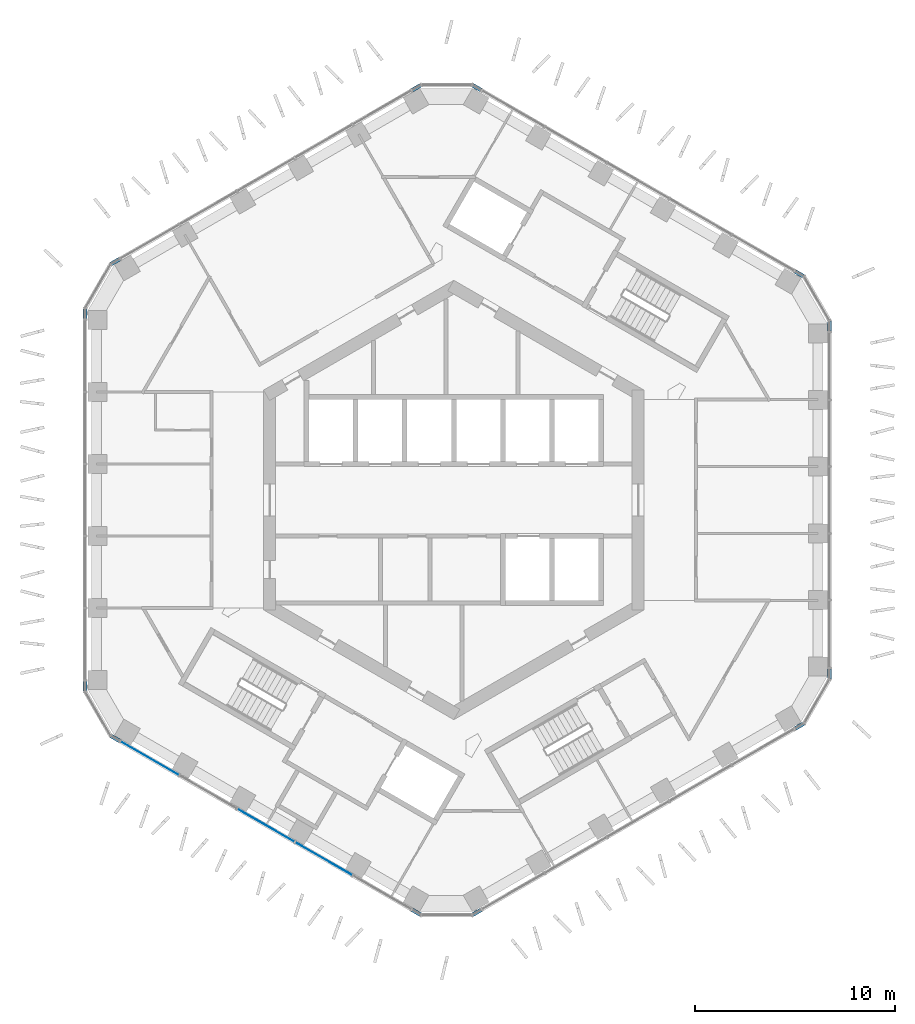
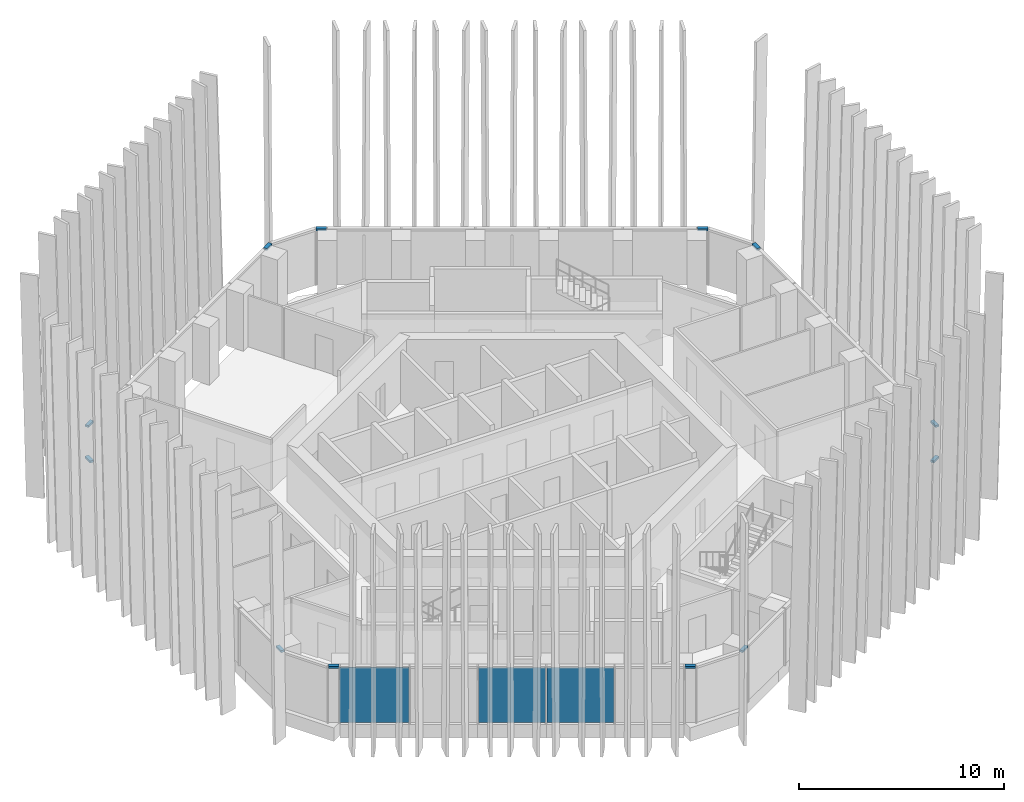
# One storey, part 8 of 21: 12 members, 3 plates, 7 elements without a shape of their own.
"""IFC4 building model written with IfcOpenShell, lengths in metres."""

from ifc_helpers import new_model, si_unit, direction, frame, origin, origin_2d, place, context, subcontext, project, spatial, rectangle, extrude, material, layer, layer_set, material_profile, profile_set, type_object, element, aggregate, save


model = new_model("IFC4")

# Units and contexts
model_context = context("Model", 3, precision=1e-05, world=origin(), true_north=direction((0.0, 1.0)))
body_context = subcontext(model_context, "Body", "Model", "MODEL_VIEW")
ifc_project = project(units=[si_unit("LENGTHUNIT", "METRE"), si_unit("AREAUNIT", "SQUARE_METRE"), si_unit("VOLUMEUNIT", "CUBIC_METRE"), si_unit("PLANEANGLEUNIT", "RADIAN"), si_unit("MASSUNIT", "GRAM", prefix="KILO")], contexts=[model_context])

# Site, building, storey
site_placement = place(None, origin())
site = spatial("IfcSite", under=ifc_project, at=site_placement, CompositionType="ELEMENT")
building_placement = place(site_placement, origin())
building = spatial("IfcBuilding", under=site, at=building_placement, Name="Ayvan Gate Tower", CompositionType="ELEMENT")
storey_placement = place(building_placement, frame((0.0, 0.0, 173.10009765625)))
storey = spatial("IfcBuildingStorey", under=building, at=storey_placement, Name="L46", CompositionType="ELEMENT", Elevation=173.10009765625)

# Curtain wall, members
ifc_material_1 = material(Name="Bronze anodised aluminium", Category="aluminium")
ifc_layer_1 = layer(ifc_material_1, 0.199951171875)
ifc_layer_set_1 = layer_set([ifc_layer_1], Name="Bronze anodised aluminium")
curtain_wall_type_1 = type_object("IfcCurtainWallType", Name="Stick curtain wall CW-6", PredefinedType="NOTDEFINED", material=ifc_layer_set_1)
curtain_wall_1_placement = place(storey_placement, origin())
curtain_wall_1 = element("IfcCurtainWall", 1, at=curtain_wall_1_placement, inside=storey, type_object=curtain_wall_type_1, Name="Stick curtain wall CW-6 L46", PredefinedType="NOTDEFINED")
ifc_material_profile = material_profile(ifc_material_1, rectangle(XDim=0.199951171875, YDim=0.1201171875, at=origin_2d()), Name="Stick curtain wall CW-6 transom 200 x 120")
ifc_profile_set = profile_set([ifc_material_profile], Name="Bronze anodised aluminium")
member_type = type_object("IfcMemberType", Name="Stick curtain wall CW-6 transom 200 x 120", PredefinedType="USERDEFINED", material=ifc_profile_set)
member_1_placement = place(storey_placement, frame((-16.68359375, 12.03173828125, 3.33984375), z_axis=(-0.865949687125, -0.500131122175, 0.0), x_axis=(0.500131122175, -0.865949687125, 0.0)))
member_1 = element("IfcMember", 2, at=member_1_placement, type_object=member_type, Name="CW-6 transom 1", ObjectType="TRANSOM", PredefinedType="USERDEFINED", context=body_context, shape_type="SweptSolid", body=[
    extrude(rectangle(XDim=0.199951171875, YDim=0.1201171875, at=origin_2d()), origin(), (0.0, 0.0, 1.0), 0.499755859375),
])
member_2_placement = place(storey_placement, frame((-18.405517578125, 9.54931640625, 3.33984375), z_axis=(0.0, -1.0, 0.0), x_axis=(1.0, 0.0, 0.0)))
member_2 = element("IfcMember", 3, at=member_2_placement, type_object=member_type, Name="CW-6 transom 3", ObjectType="TRANSOM", PredefinedType="USERDEFINED", context=body_context, shape_type="SweptSolid", body=[
    extrude(rectangle(XDim=0.199951171875, YDim=0.1201171875, at=origin_2d()), origin(), (0.0, 0.0, 1.0), 0.5),
])
aggregate(curtain_wall_1, [member_1, member_2])

curtain_wall_2_placement = place(storey_placement, origin())
curtain_wall_2 = element("IfcCurtainWall", 4, at=curtain_wall_2_placement, inside=storey, type_object=curtain_wall_type_1, Name="Stick curtain wall CW-6 L46", PredefinedType="NOTDEFINED")
member_3_placement = place(storey_placement, frame((-18.405517578125, -9.04931640625, 3.33984375), z_axis=(0.0, -1.0, 0.0), x_axis=(1.0, 0.0, 0.0)))
member_3 = element("IfcMember", 5, at=member_3_placement, type_object=member_type, Name="CW-6 transom 1", ObjectType="TRANSOM", PredefinedType="USERDEFINED", context=body_context, shape_type="SweptSolid", body=[
    extrude(rectangle(XDim=0.199951171875, YDim=0.1201171875, at=origin_2d()), origin(), (0.0, 0.0, 1.0), 0.5),
])
member_4_placement = place(storey_placement, frame((-17.116455078125, -11.78173828125, 3.33984375), z_axis=(0.865949687125, -0.500131122175, 0.0), x_axis=(0.500131122175, 0.865949687125, 0.0)))
member_4 = element("IfcMember", 6, at=member_4_placement, type_object=member_type, Name="CW-6 transom 3", ObjectType="TRANSOM", PredefinedType="USERDEFINED", context=body_context, shape_type="SweptSolid", body=[
    extrude(rectangle(XDim=0.199951171875, YDim=0.1201171875, at=origin_2d()), origin(), (0.0, 0.0, 1.0), 0.499755859375),
])
aggregate(curtain_wall_2, [member_3, member_4])

curtain_wall_3_placement = place(storey_placement, origin())
curtain_wall_3 = element("IfcCurtainWall", 7, at=curtain_wall_3_placement, inside=storey, type_object=curtain_wall_type_1, Name="Stick curtain wall CW-6 L46", PredefinedType="NOTDEFINED")
member_5_placement = place(storey_placement, frame((-2.078125, -20.464111328125, 3.33984375), z_axis=(0.866071776036, -0.499919672301, 0.0), x_axis=(0.499919672301, 0.866071776036, 0.0)))
member_5 = element("IfcMember", 8, at=member_5_placement, type_object=member_type, Name="CW-6 transom 1", ObjectType="TRANSOM", PredefinedType="USERDEFINED", context=body_context, shape_type="SweptSolid", body=[
    extrude(rectangle(XDim=0.199951171875, YDim=0.1201171875, at=origin_2d()), origin(), (0.0, 0.0, 1.0), 0.5),
])
member_6_placement = place(storey_placement, frame((0.932861328125, -20.714111328125, 3.33984375), z_axis=(0.866071776036, 0.499919672301, 0.0), x_axis=(-0.499919672301, 0.866071776036, 0.0)))
member_6 = element("IfcMember", 9, at=member_6_placement, type_object=member_type, Name="CW-6 transom 3", ObjectType="TRANSOM", PredefinedType="USERDEFINED", context=body_context, shape_type="SweptSolid", body=[
    extrude(rectangle(XDim=0.199951171875, YDim=0.1201171875, at=origin_2d()), origin(), (0.0, 0.0, 1.0), 0.5),
])
aggregate(curtain_wall_3, [member_5, member_6])

curtain_wall_4_placement = place(storey_placement, origin())
curtain_wall_4 = element("IfcCurtainWall", 10, at=curtain_wall_4_placement, inside=storey, type_object=curtain_wall_type_1, Name="Stick curtain wall CW-6 L46", PredefinedType="NOTDEFINED")
member_7_placement = place(storey_placement, frame((17.03955078125, -11.4150390625, 3.33984375), z_axis=(0.866071776036, 0.499919672301, 0.0), x_axis=(-0.499919672301, 0.866071776036, 0.0)))
member_7 = element("IfcMember", 11, at=member_7_placement, type_object=member_type, Name="CW-6 transom 1", ObjectType="TRANSOM", PredefinedType="USERDEFINED", context=body_context, shape_type="SweptSolid", body=[
    extrude(rectangle(XDim=0.199951171875, YDim=0.1201171875, at=origin_2d()), origin(), (0.0, 0.0, 1.0), 0.5),
])
member_8_placement = place(storey_placement, frame((18.761474609375, -8.932373046875, 3.33984375), z_axis=(0.0, 1.0, 0.0), x_axis=(-1.0, 0.0, 0.0)))
member_8 = element("IfcMember", 12, at=member_8_placement, type_object=member_type, Name="CW-6 transom 3", ObjectType="TRANSOM", PredefinedType="USERDEFINED", context=body_context, shape_type="SweptSolid", body=[
    extrude(rectangle(XDim=0.199951171875, YDim=0.1201171875, at=origin_2d()), origin(), (0.0, 0.0, 1.0), 0.5),
])
aggregate(curtain_wall_4, [member_7, member_8])

curtain_wall_5_placement = place(storey_placement, origin())
curtain_wall_5 = element("IfcCurtainWall", 13, at=curtain_wall_5_placement, inside=storey, type_object=curtain_wall_type_1, Name="Stick curtain wall CW-6 L46", PredefinedType="NOTDEFINED")
member_9_placement = place(storey_placement, frame((18.761474609375, 8.432373046875, 3.33984375), z_axis=(0.0, 1.0, 0.0), x_axis=(-1.0, 0.0, 0.0)))
member_9 = element("IfcMember", 14, at=member_9_placement, type_object=member_type, Name="CW-6 transom 1", ObjectType="TRANSOM", PredefinedType="USERDEFINED", context=body_context, shape_type="SweptSolid", body=[
    extrude(rectangle(XDim=0.199951171875, YDim=0.1201171875, at=origin_2d()), origin(), (0.0, 0.0, 1.0), 0.5),
])
member_10_placement = place(storey_placement, frame((17.47265625, 11.1650390625, 3.33984375), z_axis=(-0.866071776036, 0.499919672301, 0.0), x_axis=(-0.499919672301, -0.866071776036, 0.0)))
member_10 = element("IfcMember", 15, at=member_10_placement, type_object=member_type, Name="CW-6 transom 3", ObjectType="TRANSOM", PredefinedType="USERDEFINED", context=body_context, shape_type="SweptSolid", body=[
    extrude(rectangle(XDim=0.199951171875, YDim=0.1201171875, at=origin_2d()), origin(), (0.0, 0.0, 1.0), 0.5),
])
aggregate(curtain_wall_5, [member_9, member_10])

curtain_wall_6_placement = place(storey_placement, origin())
curtain_wall_6 = element("IfcCurtainWall", 16, at=curtain_wall_6_placement, inside=storey, type_object=curtain_wall_type_1, Name="Stick curtain wall CW-6 L46", PredefinedType="NOTDEFINED")
member_11_placement = place(storey_placement, frame((1.365966796875, 20.464111328125, 3.33984375), z_axis=(-0.866071776036, 0.499919672301, 0.0), x_axis=(-0.499919672301, -0.866071776036, 0.0)))
member_11 = element("IfcMember", 17, at=member_11_placement, type_object=member_type, Name="CW-6 transom 1", ObjectType="TRANSOM", PredefinedType="USERDEFINED", context=body_context, shape_type="SweptSolid", body=[
    extrude(rectangle(XDim=0.199951171875, YDim=0.1201171875, at=origin_2d()), origin(), (0.0, 0.0, 1.0), 0.5),
])
member_12_placement = place(storey_placement, frame((-1.64501953125, 20.714111328125, 3.33984375), z_axis=(-0.866071776036, -0.499919672301, 0.0), x_axis=(0.499919672301, -0.866071776036, 0.0)))
member_12 = element("IfcMember", 18, at=member_12_placement, type_object=member_type, Name="CW-6 transom 3", ObjectType="TRANSOM", PredefinedType="USERDEFINED", context=body_context, shape_type="SweptSolid", body=[
    extrude(rectangle(XDim=0.199951171875, YDim=0.1201171875, at=origin_2d()), origin(), (0.0, 0.0, 1.0), 0.5),
])
aggregate(curtain_wall_6, [member_11, member_12])

# Curtain wall, plates
ifc_layer_2 = layer(ifc_material_1, 0.199951171875)
ifc_layer_set_2 = layer_set([ifc_layer_2], Name="Bronze anodised aluminium")
curtain_wall_type_2 = type_object("IfcCurtainWallType", Name="Stick curtain wall CW-2", PredefinedType="NOTDEFINED", material=ifc_layer_set_2)
curtain_wall_7_placement = place(storey_placement, origin())
curtain_wall_7 = element("IfcCurtainWall", 19, at=curtain_wall_7_placement, inside=storey, type_object=curtain_wall_type_2, Name="Stick curtain wall CW-2 L46", PredefinedType="NOTDEFINED")
ifc_material_2 = material(Name="Clear low-iron laminated glass", Category="glass")
ifc_layer_3 = layer(ifc_material_2, 0.028076171875)
ifc_layer_set_3 = layer_set([ifc_layer_3], Name="Clear low-iron laminated glass")
plate_type = type_object("IfcPlateType", Name="Stick curtain wall CW-2 glass panel", PredefinedType="CURTAIN_PANEL", material=ifc_layer_set_3)
plate_1_placement = place(storey_placement, frame((-15.1943359375, -12.891357421875, 0.0), z_axis=(0.0, 0.0, 1.0), x_axis=(0.866025403784, -0.5, 0.0)))
plate_1 = element("IfcPlate", 20, at=plate_1_placement, type_object=plate_type, Name="CW-2 glass panel 1", PredefinedType="CURTAIN_PANEL", context=body_context, shape_type="SweptSolid", body=[
    extrude(rectangle(XDim=3.368896484375, YDim=0.028076171875, at=origin_2d()), origin(), (0.0, 0.0, 1.0), 3.280029296875),
])
plate_2_placement = place(storey_placement, frame((-9.380859375, -16.248046875, 0.0), z_axis=(0.0, 0.0, 1.0), x_axis=(0.866025403784, -0.5, 0.0)))
plate_2 = element("IfcPlate", 21, at=plate_2_placement, type_object=plate_type, Name="CW-2 glass panel 3", PredefinedType="CURTAIN_PANEL", context=body_context, shape_type="SweptSolid", body=[
    extrude(rectangle(XDim=3.259033203125, YDim=0.028076171875, at=origin_2d()), origin(), (0.0, 0.0, 1.0), 3.280029296875),
])
plate_3_placement = place(storey_placement, frame((-6.497802734375, -17.912353515625, 0.0), z_axis=(0.0, 0.0, 1.0), x_axis=(0.866025403784, -0.5, 0.0)))
plate_3 = element("IfcPlate", 22, at=plate_3_placement, type_object=plate_type, Name="CW-2 glass panel 4", PredefinedType="CURTAIN_PANEL", context=body_context, shape_type="SweptSolid", body=[
    extrude(rectangle(XDim=3.259033203125, YDim=0.028076171875, at=origin_2d()), origin(), (0.0, 0.0, 1.0), 3.280029296875),
])
aggregate(curtain_wall_7, [plate_1, plate_2, plate_3])

save(model, "model.ifc")
